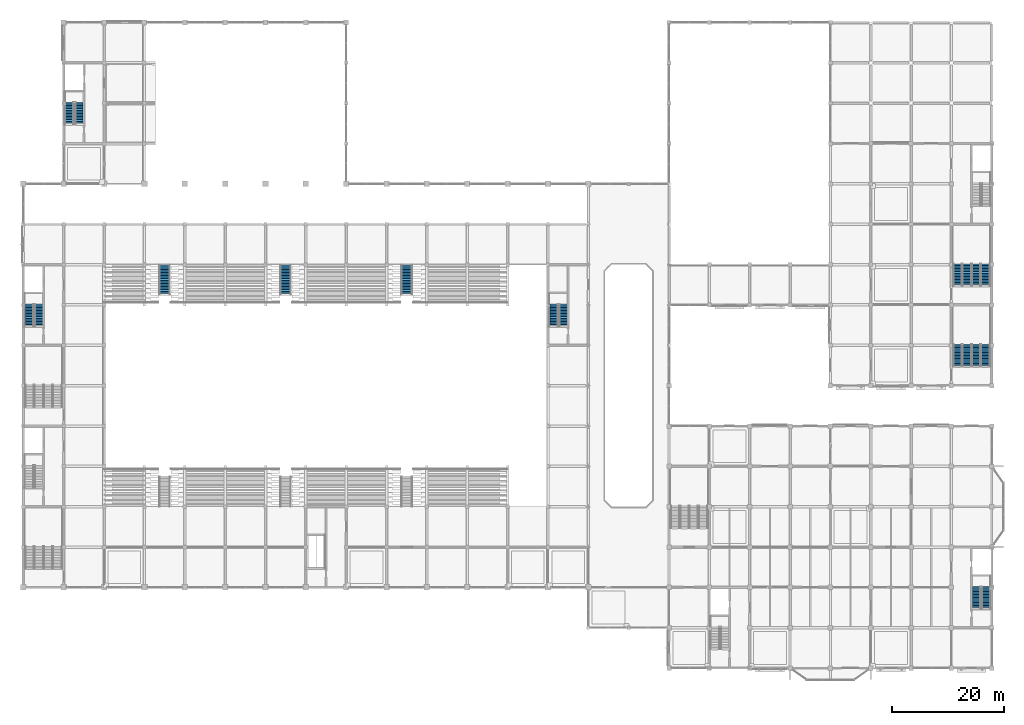
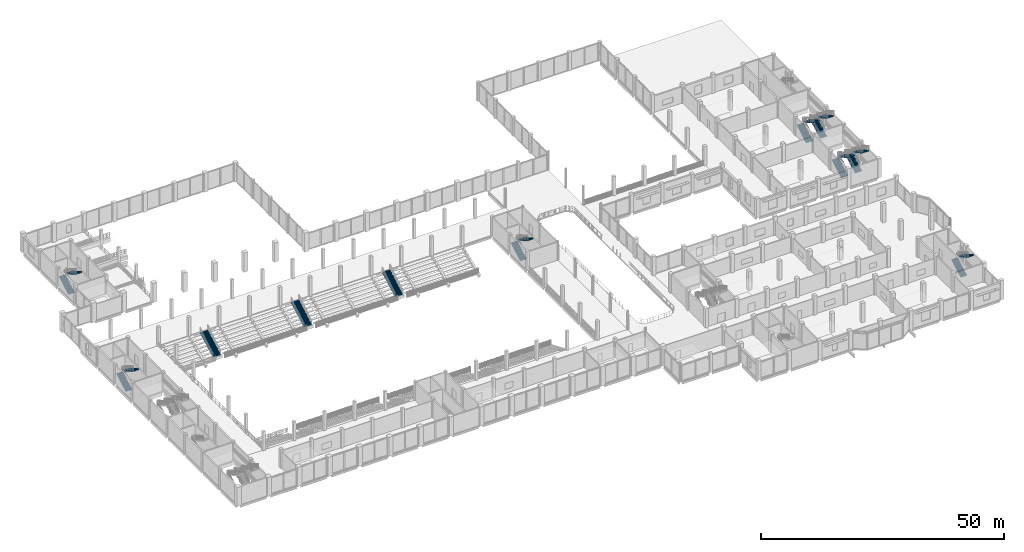
# One storey, part 73 of 99: 19 stair flights, 11 elements without a shape of their own.
"""IFC4 building model written with IfcOpenShell, lengths in metres."""

import ifcopenshell
import ifcopenshell.guid

model = None  # the IFC model being written
_history = None  # IfcOwnerHistory: only IFC2X3 demands one
_inside = {}  # id of a spatial element -> (the spatial element, [elements in it])
_under = {}  # id of a project, library or spatial element -> (it, [spatial elements below it])
_declared = {}  # id of a project -> (the project, [libraries it declares])
_typed = {}  # id of a type object -> (the type object, [elements of that type])
_made_of = {}  # id of a material, layer set ... -> (it, [elements and type objects made of it])


def new_model(schema):
    """Start an empty IFC model of exactly this schema.

    Asked for "IFC4X3", IfcOpenShell would pick the latest addendum, in which some entities
    have other attributes; the version numbers below select the first issue.
    IFC2X3 requires an IfcOwnerHistory on every rooted entity: one is made here for all.
    """
    global model, _history
    if schema == "IFC4X3":
        model = ifcopenshell.file(schema_version=(4, 3, 0, 0))
    else:
        model = ifcopenshell.file(schema=schema)
    _inside.clear()
    _under.clear()
    _declared.clear()
    _typed.clear()
    _made_of.clear()
    _history = None
    if model.schema == "IFC2X3":
        org = make("IfcOrganization", Name="unknown")
        user = make(
            "IfcPersonAndOrganization",
            ThePerson=make("IfcPerson", FamilyName="unknown"),
            TheOrganization=org,
        )
        app = make(
            "IfcApplication",
            ApplicationDeveloper=org,
            Version="unknown",
            ApplicationFullName="unknown",
            ApplicationIdentifier="unknown",
        )
        _history = make(
            "IfcOwnerHistory",
            OwningUser=user,
            OwningApplication=app,
            ChangeAction="ADDED",
            CreationDate=0,
        )
    return model


def make(cls, **values):
    """One entity of the class cls with the attributes given. An attribute that is None is left unset."""
    return model.create_entity(
        cls, **{name: value for name, value in values.items() if value is not None}
    )


def rooted(cls, **values):
    """An entity with a GlobalId (a new one), such as an element, a storey or a relation."""
    return make(cls, GlobalId=ifcopenshell.guid.new(), OwnerHistory=_history, **values)


def si_unit(unit_type, name, prefix=None):
    """IfcSIUnit, for example si_unit("LENGTHUNIT", "METRE", prefix="MILLI")."""
    return make("IfcSIUnit", UnitType=unit_type, Prefix=prefix, Name=name)


def assignment(units):
    """IfcUnitAssignment: the units of a project."""
    return None if units is None else make("IfcUnitAssignment", Units=units)


def point(xyz):
    """IfcCartesianPoint."""
    return None if xyz is None else make("IfcCartesianPoint", Coordinates=xyz)


def direction(xyz):
    """IfcDirection."""
    return None if xyz is None else make("IfcDirection", DirectionRatios=xyz)


def frame(location, z_axis=None, x_axis=None):
    """IfcAxis2Placement3D, a coordinate frame: its origin and axes. An axis left out is left unset."""
    return make(
        "IfcAxis2Placement3D",
        Location=point(location),
        Axis=direction(z_axis),
        RefDirection=direction(x_axis),
    )


def origin():
    """The frame at (0, 0, 0) with its axes left unset."""
    return frame((0.0, 0.0, 0.0))


def place(relative_to, where):
    """IfcLocalPlacement: puts the frame where relative to a parent placement (None: the world)."""
    return make(
        "IfcLocalPlacement", PlacementRelTo=relative_to, RelativePlacement=where
    )


def context(
    kind, dimensions, precision=None, world=None, true_north=None, identifier=None
):
    """IfcGeometricRepresentationContext, for example the 3D "Model" context."""
    return make(
        "IfcGeometricRepresentationContext",
        ContextIdentifier=identifier,
        ContextType=kind,
        CoordinateSpaceDimension=dimensions,
        Precision=precision,
        WorldCoordinateSystem=world,
        TrueNorth=true_north,
    )


def subcontext(parent, identifier, kind, view, scale=None):
    """IfcGeometricRepresentationSubContext, for example "Body" below "Model"."""
    return make(
        "IfcGeometricRepresentationSubContext",
        ContextIdentifier=identifier,
        ContextType=kind,
        ParentContext=parent,
        TargetScale=scale,
        TargetView=view,
    )


def project(units=None, contexts=None):
    """IfcProject with its units and contexts."""
    return rooted(
        "IfcProject",
        Name="project",
        RepresentationContexts=contexts,
        UnitsInContext=assignment(units),
    )


def spatial(cls, under=None, at=None, **own):
    """A site, building, storey or space (cls), placed at a placement, below another one or the project."""
    s = rooted(cls, ObjectPlacement=at, **own)
    if under is not None:
        _under.setdefault(under.id(), (under, []))[1].append(s)
    return s


def polyline(points):
    """IfcPolyline through the points."""
    return make("IfcPolyline", Points=[point(p) for p in points])


def outline(outer, holes=None, kind="AREA"):
    """IfcArbitraryClosedProfileDef: a profile drawn as a closed curve; with holes, ...WithVoids."""
    if holes is None:
        return make("IfcArbitraryClosedProfileDef", ProfileType=kind, OuterCurve=outer)
    return make(
        "IfcArbitraryProfileDefWithVoids",
        ProfileType=kind,
        OuterCurve=outer,
        InnerCurves=holes,
    )


def extrude(swept, where, along, depth):
    """IfcExtrudedAreaSolid: the profile swept, set in the frame where, extruded along a direction by depth."""
    return make(
        "IfcExtrudedAreaSolid",
        SweptArea=swept,
        Position=where,
        ExtrudedDirection=direction(along),
        Depth=depth,
    )


def shape(context_of_items, identifier, shape_type, items):
    """IfcShapeRepresentation: the items that make up one representation, for example the "Body"."""
    return make(
        "IfcShapeRepresentation",
        ContextOfItems=context_of_items,
        RepresentationIdentifier=identifier,
        RepresentationType=shape_type,
        Items=items,
    )


def material(Name=None, Category=None):
    """IfcMaterial."""
    return make("IfcMaterial", Name=Name, Category=Category)


def made_of(thing, what):
    """Note that an element or type object is made of a material, layer set ...; save() writes the relation."""
    if what is not None:
        _made_of.setdefault(what.id(), (what, []))[1].append(thing)
    return thing


def type_object(cls, material=None, **own):
    """A type object (cls), such as IfcWallType, which elements share."""
    return made_of(rooted(cls, **own), material)


def element(
    cls,
    number,
    at=None,
    inside=None,
    cuts=None,
    type_object=None,
    material=None,
    context=None,
    identifier="Body",
    shape_type=None,
    held_by="IfcProductDefinitionShape",
    body=None,
    shapes=None,
    **own,
):
    """One element of the class cls, such as IfcWall. Its Tag is "e" and its number.

    at: its placement. inside: the storey or other place that contains it. cuts: it is an
    opening in that element (IfcRelVoidsElement). A single representation is given by context,
    identifier, shape_type and body (its items); several are given by shapes. held_by: the class
    of the entity that holds the representations. save() writes the other relations.
    """
    e = rooted(cls, Tag="e%d" % number, ObjectPlacement=at, **own)
    if body is not None:
        shapes = [shape(context, identifier, shape_type, body)]
    if shapes is not None:
        e.Representation = make(held_by, Representations=shapes)
    if inside is not None:
        _inside.setdefault(inside.id(), (inside, []))[1].append(e)
    if cuts is not None:
        rooted(
            "IfcRelVoidsElement", RelatingBuildingElement=cuts, RelatedOpeningElement=e
        )
    if type_object is not None:
        _typed.setdefault(type_object.id(), (type_object, []))[1].append(e)
    return made_of(e, material)


def aggregate(whole, parts):
    """IfcRelAggregates: a whole, such as a stair, and the parts it consists of."""
    return rooted("IfcRelAggregates", RelatingObject=whole, RelatedObjects=parts)


def save(model, path):
    """Write the relations noted so far, then the file.

    IfcRelAggregates (storeys below a building ...), IfcRelContainedInSpatialStructure (elements
    in a storey), IfcRelDefinesByType, IfcRelAssociatesMaterial and IfcRelDeclares: one each for
    every whole, place, type object, material and project.
    """
    for whole, parts in _under.values():
        aggregate(whole, parts)
    for where, things in _inside.values():
        rooted(
            "IfcRelContainedInSpatialStructure",
            RelatedElements=things,
            RelatingStructure=where,
        )
    for kind, things in _typed.values():
        rooted("IfcRelDefinesByType", RelatedObjects=things, RelatingType=kind)
    for what, things in _made_of.values():
        rooted("IfcRelAssociatesMaterial", RelatedObjects=things, RelatingMaterial=what)
    for by, libraries in _declared.values():
        rooted("IfcRelDeclares", RelatingContext=by, RelatedDefinitions=libraries)
    model.write(path)


model = new_model("IFC4")

# Units and contexts
model_context = context("Model", 3, precision=1e-05, world=origin(), true_north=direction((0.0, 1.0)))
body_context = subcontext(model_context, "Body", "Model", "MODEL_VIEW")
ifc_project = project(units=[si_unit("LENGTHUNIT", "METRE"), si_unit("AREAUNIT", "SQUARE_METRE"), si_unit("VOLUMEUNIT", "CUBIC_METRE"), si_unit("PLANEANGLEUNIT", "RADIAN"), si_unit("MASSUNIT", "GRAM", prefix="KILO")], contexts=[model_context])

# Site, building, storey
site_placement = place(None, origin())
site = spatial("IfcSite", under=ifc_project, at=site_placement, CompositionType="ELEMENT")
building_placement = place(site_placement, origin())
building = spatial("IfcBuilding", under=site, at=building_placement, Name="Vesperath Aquatics Centre", CompositionType="ELEMENT")
storey_placement = place(building_placement, frame((0.0, 0.0, 5.39990234375)))
storey = spatial("IfcBuildingStorey", under=building, at=storey_placement, Name="L01", CompositionType="ELEMENT", Elevation=5.39990234375)

# Stair, stair flights
ifc_material = material(Name="Concrete C35", Category="concrete")
stair_type_1 = type_object("IfcStairType", Name="ST-HT48", PredefinedType="HALF_TURN_STAIR", material=ifc_material)
stair_1_placement = place(storey_placement, origin())
stair_1 = element("IfcStair", 1, at=stair_1_placement, inside=storey, type_object=stair_type_1, Name="Enclosed Exit Stair ST2 L01", PredefinedType="HALF_TURN_STAIR")
stair_flight_type_1 = type_object("IfcStairFlightType", Name="SF-F48", PredefinedType="STRAIGHT", material=ifc_material)
stair_flight_1_placement = place(storey_placement, frame((1.070068359375, 61.02001953125, 0.0), z_axis=(0.0, 0.0, 1.0), x_axis=(0.0, 1.0, 0.0)))
stair_flight_1 = element("IfcStairFlight", 2, at=stair_flight_1_placement, type_object=stair_flight_type_1, Name="Stair ST2 Flight 1 L01", NumberOfRisers=15, NumberOfTreads=14, PredefinedType="STRAIGHT", RiserHeight=0.16, TreadLength=0.28, context=body_context, shape_type="SweptSolid", body=[
    extrude(outline(polyline([(0.0, 0.0), (0.0, 0.159912109375), (0.280029296875, 0.159912109375), (0.280029296875, 0.320068359375), (0.56005859375, 0.320068359375), (0.56005859375, 0.47998046875), (0.840087890625, 0.47998046875), (0.840087890625, 0.639892578125), (1.1201171875, 0.639892578125), (1.1201171875, 0.800048828125), (1.39990234375, 0.800048828125), (1.39990234375, 0.9599609375), (1.679931640625, 0.9599609375), (1.679931640625, 1.1201171875), (1.9599609375, 1.1201171875), (1.9599609375, 1.280029296875), (2.239990234375, 1.280029296875), (2.239990234375, 1.43994140625), (2.52001953125, 1.43994140625), (2.52001953125, 1.60009765625), (2.800048828125, 1.60009765625), (2.800048828125, 1.760009765625), (3.080078125, 1.760009765625), (3.080078125, 1.919921875), (3.360107421875, 1.919921875), (3.360107421875, 2.080078125), (3.639892578125, 2.080078125), (3.639892578125, 2.239990234375), (3.919921875, 2.239990234375), (3.919921875, 2.39990234375), (3.919921875, 2.03271484375), (0.362548828125, 0.0), (0.0, 0.0)])), frame((0.0, 0.719970703125, 0.0), z_axis=(0.0, -1.0, 0.0), x_axis=(1.0, 0.0, 0.0)), (0.0, 0.0, 1.0), 1.43994140625),
])
stair_flight_2_placement = place(storey_placement, frame((2.75, 64.93994140625, 2.400146484375), z_axis=(0.0, 0.0, 1.0), x_axis=(0.0, -1.0, 0.0)))
stair_flight_2 = element("IfcStairFlight", 3, at=stair_flight_2_placement, type_object=stair_flight_type_1, Name="Stair ST2 Flight 2 L01", NumberOfRisers=15, NumberOfTreads=14, PredefinedType="STRAIGHT", RiserHeight=0.16, TreadLength=0.28, context=body_context, shape_type="SweptSolid", body=[
    extrude(outline(polyline([(0.0, 0.0), (0.0, 0.159912109375), (0.280029296875, 0.159912109375), (0.280029296875, 0.320068359375), (0.56005859375, 0.320068359375), (0.56005859375, 0.47998046875), (0.840087890625, 0.47998046875), (0.840087890625, 0.639892578125), (1.1201171875, 0.639892578125), (1.1201171875, 0.800048828125), (1.39990234375, 0.800048828125), (1.39990234375, 0.9599609375), (1.679931640625, 0.9599609375), (1.679931640625, 1.1201171875), (1.9599609375, 1.1201171875), (1.9599609375, 1.280029296875), (2.239990234375, 1.280029296875), (2.239990234375, 1.43994140625), (2.52001953125, 1.43994140625), (2.52001953125, 1.60009765625), (2.800048828125, 1.60009765625), (2.800048828125, 1.760009765625), (3.080078125, 1.760009765625), (3.080078125, 1.919921875), (3.360107421875, 1.919921875), (3.360107421875, 2.080078125), (3.639892578125, 2.080078125), (3.639892578125, 2.239990234375), (3.919921875, 2.239990234375), (3.919921875, 2.39990234375), (3.919921875, 2.03271484375), (0.362548828125, 0.0), (0.0, 0.0)])), frame((0.0, 0.719970703125, 0.0), z_axis=(0.0, -1.0, 0.0), x_axis=(1.0, 0.0, 0.0)), (0.0, 0.0, 1.0), 1.43994140625),
])
aggregate(stair_1, [stair_flight_1, stair_flight_2])

stair_2_placement = place(storey_placement, origin())
stair_2 = element("IfcStair", 4, at=stair_2_placement, inside=storey, type_object=stair_type_1, Name="Enclosed Exit Stair ST8 L01", PredefinedType="HALF_TURN_STAIR")
stair_flight_3_placement = place(storey_placement, frame((94.669921875, 61.02001953125, 0.0), z_axis=(0.0, 0.0, 1.0), x_axis=(0.0, 1.0, 0.0)))
stair_flight_3 = element("IfcStairFlight", 5, at=stair_flight_3_placement, type_object=stair_flight_type_1, Name="Stair ST8 Flight 1 L01", NumberOfRisers=15, NumberOfTreads=14, PredefinedType="STRAIGHT", RiserHeight=0.16, TreadLength=0.28, context=body_context, shape_type="SweptSolid", body=[
    extrude(outline(polyline([(0.0, 0.0), (0.0, 0.159912109375), (0.280029296875, 0.159912109375), (0.280029296875, 0.320068359375), (0.56005859375, 0.320068359375), (0.56005859375, 0.47998046875), (0.840087890625, 0.47998046875), (0.840087890625, 0.639892578125), (1.1201171875, 0.639892578125), (1.1201171875, 0.800048828125), (1.39990234375, 0.800048828125), (1.39990234375, 0.9599609375), (1.679931640625, 0.9599609375), (1.679931640625, 1.1201171875), (1.9599609375, 1.1201171875), (1.9599609375, 1.280029296875), (2.239990234375, 1.280029296875), (2.239990234375, 1.43994140625), (2.52001953125, 1.43994140625), (2.52001953125, 1.60009765625), (2.800048828125, 1.60009765625), (2.800048828125, 1.760009765625), (3.080078125, 1.760009765625), (3.080078125, 1.919921875), (3.360107421875, 1.919921875), (3.360107421875, 2.080078125), (3.639892578125, 2.080078125), (3.639892578125, 2.239990234375), (3.919921875, 2.239990234375), (3.919921875, 2.39990234375), (3.919921875, 2.03271484375), (0.362548828125, 0.0), (0.0, 0.0)])), frame((0.0, 0.719970703125, 0.0), z_axis=(0.0, -1.0, 0.0), x_axis=(1.0, 0.0, 0.0)), (0.0, 0.0, 1.0), 1.43994140625),
])
stair_flight_4_placement = place(storey_placement, frame((96.35009765625, 64.93994140625, 2.400146484375), z_axis=(0.0, 0.0, 1.0), x_axis=(0.0, -1.0, 0.0)))
stair_flight_4 = element("IfcStairFlight", 6, at=stair_flight_4_placement, type_object=stair_flight_type_1, Name="Stair ST8 Flight 2 L01", NumberOfRisers=15, NumberOfTreads=14, PredefinedType="STRAIGHT", RiserHeight=0.16, TreadLength=0.28, context=body_context, shape_type="SweptSolid", body=[
    extrude(outline(polyline([(0.0, 0.0), (0.0, 0.159912109375), (0.280029296875, 0.159912109375), (0.280029296875, 0.320068359375), (0.56005859375, 0.320068359375), (0.56005859375, 0.47998046875), (0.840087890625, 0.47998046875), (0.840087890625, 0.639892578125), (1.1201171875, 0.639892578125), (1.1201171875, 0.800048828125), (1.39990234375, 0.800048828125), (1.39990234375, 0.9599609375), (1.679931640625, 0.9599609375), (1.679931640625, 1.1201171875), (1.9599609375, 1.1201171875), (1.9599609375, 1.280029296875), (2.239990234375, 1.280029296875), (2.239990234375, 1.43994140625), (2.52001953125, 1.43994140625), (2.52001953125, 1.60009765625), (2.800048828125, 1.60009765625), (2.800048828125, 1.760009765625), (3.080078125, 1.760009765625), (3.080078125, 1.919921875), (3.360107421875, 1.919921875), (3.360107421875, 2.080078125), (3.639892578125, 2.080078125), (3.639892578125, 2.239990234375), (3.919921875, 2.239990234375), (3.919921875, 2.39990234375), (3.919921875, 2.03271484375), (0.362548828125, 0.0), (0.0, 0.0)])), frame((0.0, 0.719970703125, 0.0), z_axis=(0.0, -1.0, 0.0), x_axis=(1.0, 0.0, 0.0)), (0.0, 0.0, 1.0), 1.43994140625),
])
aggregate(stair_2, [stair_flight_3, stair_flight_4])

stair_3_placement = place(storey_placement, origin())
stair_3 = element("IfcStair", 7, at=stair_3_placement, inside=storey, type_object=stair_type_1, Name="Enclosed Exit Stair ST3 L01", PredefinedType="HALF_TURN_STAIR")
stair_flight_5_placement = place(storey_placement, frame((8.27001953125, 97.02001953125, 0.0), z_axis=(0.0, 0.0, 1.0), x_axis=(0.0, 1.0, 0.0)))
stair_flight_5 = element("IfcStairFlight", 8, at=stair_flight_5_placement, type_object=stair_flight_type_1, Name="Stair ST3 Flight 1 L01", NumberOfRisers=15, NumberOfTreads=14, PredefinedType="STRAIGHT", RiserHeight=0.16, TreadLength=0.28, context=body_context, shape_type="SweptSolid", body=[
    extrude(outline(polyline([(0.0, 0.0), (0.0, 0.159912109375), (0.280029296875, 0.159912109375), (0.280029296875, 0.320068359375), (0.56005859375, 0.320068359375), (0.56005859375, 0.47998046875), (0.840087890625, 0.47998046875), (0.840087890625, 0.639892578125), (1.1201171875, 0.639892578125), (1.1201171875, 0.800048828125), (1.39990234375, 0.800048828125), (1.39990234375, 0.9599609375), (1.679931640625, 0.9599609375), (1.679931640625, 1.1201171875), (1.9599609375, 1.1201171875), (1.9599609375, 1.280029296875), (2.239990234375, 1.280029296875), (2.239990234375, 1.43994140625), (2.52001953125, 1.43994140625), (2.52001953125, 1.60009765625), (2.800048828125, 1.60009765625), (2.800048828125, 1.760009765625), (3.080078125, 1.760009765625), (3.080078125, 1.919921875), (3.360107421875, 1.919921875), (3.360107421875, 2.080078125), (3.639892578125, 2.080078125), (3.639892578125, 2.239990234375), (3.919921875, 2.239990234375), (3.919921875, 2.39990234375), (3.919921875, 2.03271484375), (0.362548828125, 0.0), (0.0, 0.0)])), frame((0.0, 0.719970703125, 0.0), z_axis=(0.0, -1.0, 0.0), x_axis=(1.0, 0.0, 0.0)), (0.0, 0.0, 1.0), 1.43994140625),
])
stair_flight_6_placement = place(storey_placement, frame((9.949951171875, 100.93994140625, 2.400146484375), z_axis=(0.0, 0.0, 1.0), x_axis=(0.0, -1.0, 0.0)))
stair_flight_6 = element("IfcStairFlight", 9, at=stair_flight_6_placement, type_object=stair_flight_type_1, Name="Stair ST3 Flight 2 L01", NumberOfRisers=15, NumberOfTreads=14, PredefinedType="STRAIGHT", RiserHeight=0.16, TreadLength=0.28, context=body_context, shape_type="SweptSolid", body=[
    extrude(outline(polyline([(0.0, 0.0), (0.0, 0.159912109375), (0.280029296875, 0.159912109375), (0.280029296875, 0.320068359375), (0.56005859375, 0.320068359375), (0.56005859375, 0.47998046875), (0.840087890625, 0.47998046875), (0.840087890625, 0.639892578125), (1.1201171875, 0.639892578125), (1.1201171875, 0.800048828125), (1.39990234375, 0.800048828125), (1.39990234375, 0.9599609375), (1.679931640625, 0.9599609375), (1.679931640625, 1.1201171875), (1.9599609375, 1.1201171875), (1.9599609375, 1.280029296875), (2.239990234375, 1.280029296875), (2.239990234375, 1.43994140625), (2.52001953125, 1.43994140625), (2.52001953125, 1.60009765625), (2.800048828125, 1.60009765625), (2.800048828125, 1.760009765625), (3.080078125, 1.760009765625), (3.080078125, 1.919921875), (3.360107421875, 1.919921875), (3.360107421875, 2.080078125), (3.639892578125, 2.080078125), (3.639892578125, 2.239990234375), (3.919921875, 2.239990234375), (3.919921875, 2.39990234375), (3.919921875, 2.03271484375), (0.362548828125, 0.0), (0.0, 0.0)])), frame((0.0, 0.719970703125, 0.0), z_axis=(0.0, -1.0, 0.0), x_axis=(1.0, 0.0, 0.0)), (0.0, 0.0, 1.0), 1.43994140625),
])
aggregate(stair_3, [stair_flight_5, stair_flight_6])

stair_4_placement = place(storey_placement, origin())
stair_4 = element("IfcStair", 10, at=stair_4_placement, inside=storey, type_object=stair_type_1, Name="Enclosed Exit Stair ST6 L01", PredefinedType="HALF_TURN_STAIR")
stair_flight_7_placement = place(storey_placement, frame((170.070068359375, 10.6201171875, 0.0), z_axis=(0.0, 0.0, 1.0), x_axis=(0.0, 1.0, 0.0)))
stair_flight_7 = element("IfcStairFlight", 11, at=stair_flight_7_placement, type_object=stair_flight_type_1, Name="Stair ST6 Flight 1 L01", NumberOfRisers=15, NumberOfTreads=14, PredefinedType="STRAIGHT", RiserHeight=0.16, TreadLength=0.28, context=body_context, shape_type="SweptSolid", body=[
    extrude(outline(polyline([(0.0, 0.0), (0.0, 0.159912109375), (0.280029296875, 0.159912109375), (0.280029296875, 0.320068359375), (0.56005859375, 0.320068359375), (0.56005859375, 0.47998046875), (0.840087890625, 0.47998046875), (0.840087890625, 0.639892578125), (1.1201171875, 0.639892578125), (1.1201171875, 0.800048828125), (1.39990234375, 0.800048828125), (1.39990234375, 0.9599609375), (1.679931640625, 0.9599609375), (1.679931640625, 1.1201171875), (1.9599609375, 1.1201171875), (1.9599609375, 1.280029296875), (2.239990234375, 1.280029296875), (2.239990234375, 1.43994140625), (2.52001953125, 1.43994140625), (2.52001953125, 1.60009765625), (2.800048828125, 1.60009765625), (2.800048828125, 1.760009765625), (3.080078125, 1.760009765625), (3.080078125, 1.919921875), (3.360107421875, 1.919921875), (3.360107421875, 2.080078125), (3.639892578125, 2.080078125), (3.639892578125, 2.239990234375), (3.919921875, 2.239990234375), (3.919921875, 2.39990234375), (3.919921875, 2.03271484375), (0.362548828125, 0.0), (0.0, 0.0)])), frame((0.0, 0.719970703125, 0.0), z_axis=(0.0, -1.0, 0.0), x_axis=(1.0, 0.0, 0.0)), (0.0, 0.0, 1.0), 1.43994140625),
])
stair_flight_8_placement = place(storey_placement, frame((171.75, 14.5400390625, 2.400146484375), z_axis=(0.0, 0.0, 1.0), x_axis=(0.0, -1.0, 0.0)))
stair_flight_8 = element("IfcStairFlight", 12, at=stair_flight_8_placement, type_object=stair_flight_type_1, Name="Stair ST6 Flight 2 L01", NumberOfRisers=15, NumberOfTreads=14, PredefinedType="STRAIGHT", RiserHeight=0.16, TreadLength=0.28, context=body_context, shape_type="SweptSolid", body=[
    extrude(outline(polyline([(0.0, 0.0), (0.0, 0.159912109375), (0.280029296875, 0.159912109375), (0.280029296875, 0.320068359375), (0.56005859375, 0.320068359375), (0.56005859375, 0.47998046875), (0.840087890625, 0.47998046875), (0.840087890625, 0.639892578125), (1.1201171875, 0.639892578125), (1.1201171875, 0.800048828125), (1.39990234375, 0.800048828125), (1.39990234375, 0.9599609375), (1.679931640625, 0.9599609375), (1.679931640625, 1.1201171875), (1.9599609375, 1.1201171875), (1.9599609375, 1.280029296875), (2.239990234375, 1.280029296875), (2.239990234375, 1.43994140625), (2.52001953125, 1.43994140625), (2.52001953125, 1.60009765625), (2.800048828125, 1.60009765625), (2.800048828125, 1.760009765625), (3.080078125, 1.760009765625), (3.080078125, 1.919921875), (3.360107421875, 1.919921875), (3.360107421875, 2.080078125), (3.639892578125, 2.080078125), (3.639892578125, 2.239990234375), (3.919921875, 2.239990234375), (3.919921875, 2.39990234375), (3.919921875, 2.03271484375), (0.362548828125, 0.0), (0.0, 0.0)])), frame((0.0, 0.719970703125, 0.0), z_axis=(0.0, -1.0, 0.0), x_axis=(1.0, 0.0, 0.0)), (0.0, 0.0, 1.0), 1.43994140625),
])
aggregate(stair_4, [stair_flight_7, stair_flight_8])

# Stair, stair flight
stair_type_2 = type_object("IfcStairType", Name="ST-VM32", PredefinedType="STRAIGHT_RUN_STAIR", material=ifc_material)
stair_5_placement = place(storey_placement, origin())
stair_5 = element("IfcStair", 13, at=stair_5_placement, inside=storey, type_object=stair_type_2, Name="Spectator Vomitory Stair VOM-04", PredefinedType="STRAIGHT_RUN_STAIR")
stair_flight_type_2 = type_object("IfcStairFlightType", Name="SF-VM1", PredefinedType="STRAIGHT", material=ifc_material)
stair_flight_9_placement = place(storey_placement, frame((25.199951171875, 66.679931640625, -3.199951171875), z_axis=(0.0, 0.0, 1.0), x_axis=(0.0, 1.0, 0.0)))
stair_flight_9 = element("IfcStairFlight", 14, at=stair_flight_9_placement, type_object=stair_flight_type_2, Name="Spectator Vomitory Stair VOM-04 Flight", NumberOfRisers=20, NumberOfTreads=19, PredefinedType="STRAIGHT", RiserHeight=0.16, TreadLength=0.28, context=body_context, shape_type="SweptSolid", body=[
    extrude(outline(polyline([(0.0, 0.0), (0.0, 0.159912109375), (0.280029296875, 0.159912109375), (0.280029296875, 0.320068359375), (0.56005859375, 0.320068359375), (0.56005859375, 0.47998046875), (0.840087890625, 0.47998046875), (0.840087890625, 0.639892578125), (1.1201171875, 0.639892578125), (1.1201171875, 0.800048828125), (1.39990234375, 0.800048828125), (1.39990234375, 0.9599609375), (1.679931640625, 0.9599609375), (1.679931640625, 1.1201171875), (1.9599609375, 1.1201171875), (1.9599609375, 1.280029296875), (2.239990234375, 1.280029296875), (2.239990234375, 1.43994140625), (2.52001953125, 1.43994140625), (2.52001953125, 1.60009765625), (2.800048828125, 1.60009765625), (2.800048828125, 1.760009765625), (3.080078125, 1.760009765625), (3.080078125, 1.919921875), (3.360107421875, 1.919921875), (3.360107421875, 2.080078125), (3.639892578125, 2.080078125), (3.639892578125, 2.239990234375), (3.919921875, 2.239990234375), (3.919921875, 2.39990234375), (4.199951171875, 2.39990234375), (4.199951171875, 2.56005859375), (4.47998046875, 2.56005859375), (4.47998046875, 2.719970703125), (4.760009765625, 2.719970703125), (4.760009765625, 2.8798828125), (5.0400390625, 2.8798828125), (5.0400390625, 3.0400390625), (5.320068359375, 3.0400390625), (5.320068359375, 3.199951171875), (5.320068359375, 2.809814453125), (0.403076171875, 0.0), (0.0, 0.0)])), frame((0.0, 0.89990234375, 0.0), z_axis=(0.0, -1.0, 0.0), x_axis=(1.0, 0.0, 0.0)), (0.0, 0.0, 1.0), 1.800048828125),
])
aggregate(stair_5, [stair_flight_9])

stair_6_placement = place(storey_placement, origin())
stair_6 = element("IfcStair", 15, at=stair_6_placement, inside=storey, type_object=stair_type_2, Name="Spectator Vomitory Stair VOM-05", PredefinedType="STRAIGHT_RUN_STAIR")
stair_flight_10_placement = place(storey_placement, frame((46.800048828125, 66.679931640625, -3.199951171875), z_axis=(0.0, 0.0, 1.0), x_axis=(0.0, 1.0, 0.0)))
stair_flight_10 = element("IfcStairFlight", 16, at=stair_flight_10_placement, type_object=stair_flight_type_2, Name="Spectator Vomitory Stair VOM-05 Flight", NumberOfRisers=20, NumberOfTreads=19, PredefinedType="STRAIGHT", RiserHeight=0.16, TreadLength=0.28, context=body_context, shape_type="SweptSolid", body=[
    extrude(outline(polyline([(0.0, 0.0), (0.0, 0.159912109375), (0.280029296875, 0.159912109375), (0.280029296875, 0.320068359375), (0.56005859375, 0.320068359375), (0.56005859375, 0.47998046875), (0.840087890625, 0.47998046875), (0.840087890625, 0.639892578125), (1.1201171875, 0.639892578125), (1.1201171875, 0.800048828125), (1.39990234375, 0.800048828125), (1.39990234375, 0.9599609375), (1.679931640625, 0.9599609375), (1.679931640625, 1.1201171875), (1.9599609375, 1.1201171875), (1.9599609375, 1.280029296875), (2.239990234375, 1.280029296875), (2.239990234375, 1.43994140625), (2.52001953125, 1.43994140625), (2.52001953125, 1.60009765625), (2.800048828125, 1.60009765625), (2.800048828125, 1.760009765625), (3.080078125, 1.760009765625), (3.080078125, 1.919921875), (3.360107421875, 1.919921875), (3.360107421875, 2.080078125), (3.639892578125, 2.080078125), (3.639892578125, 2.239990234375), (3.919921875, 2.239990234375), (3.919921875, 2.39990234375), (4.199951171875, 2.39990234375), (4.199951171875, 2.56005859375), (4.47998046875, 2.56005859375), (4.47998046875, 2.719970703125), (4.760009765625, 2.719970703125), (4.760009765625, 2.8798828125), (5.0400390625, 2.8798828125), (5.0400390625, 3.0400390625), (5.320068359375, 3.0400390625), (5.320068359375, 3.199951171875), (5.320068359375, 2.809814453125), (0.403076171875, 0.0), (0.0, 0.0)])), frame((0.0, 0.89990234375, 0.0), z_axis=(0.0, -1.0, 0.0), x_axis=(1.0, 0.0, 0.0)), (0.0, 0.0, 1.0), 1.800048828125),
])
aggregate(stair_6, [stair_flight_10])

stair_7_placement = place(storey_placement, origin())
stair_7 = element("IfcStair", 17, at=stair_7_placement, inside=storey, type_object=stair_type_2, Name="Spectator Vomitory Stair VOM-06", PredefinedType="STRAIGHT_RUN_STAIR")
stair_flight_11_placement = place(storey_placement, frame((68.39990234375, 66.679931640625, -3.199951171875), z_axis=(0.0, 0.0, 1.0), x_axis=(0.0, 1.0, 0.0)))
stair_flight_11 = element("IfcStairFlight", 18, at=stair_flight_11_placement, type_object=stair_flight_type_2, Name="Spectator Vomitory Stair VOM-06 Flight", NumberOfRisers=20, NumberOfTreads=19, PredefinedType="STRAIGHT", RiserHeight=0.16, TreadLength=0.28, context=body_context, shape_type="SweptSolid", body=[
    extrude(outline(polyline([(0.0, 0.0), (0.0, 0.159912109375), (0.280029296875, 0.159912109375), (0.280029296875, 0.320068359375), (0.56005859375, 0.320068359375), (0.56005859375, 0.47998046875), (0.840087890625, 0.47998046875), (0.840087890625, 0.639892578125), (1.1201171875, 0.639892578125), (1.1201171875, 0.800048828125), (1.39990234375, 0.800048828125), (1.39990234375, 0.9599609375), (1.679931640625, 0.9599609375), (1.679931640625, 1.1201171875), (1.9599609375, 1.1201171875), (1.9599609375, 1.280029296875), (2.239990234375, 1.280029296875), (2.239990234375, 1.43994140625), (2.52001953125, 1.43994140625), (2.52001953125, 1.60009765625), (2.800048828125, 1.60009765625), (2.800048828125, 1.760009765625), (3.080078125, 1.760009765625), (3.080078125, 1.919921875), (3.360107421875, 1.919921875), (3.360107421875, 2.080078125), (3.639892578125, 2.080078125), (3.639892578125, 2.239990234375), (3.919921875, 2.239990234375), (3.919921875, 2.39990234375), (4.199951171875, 2.39990234375), (4.199951171875, 2.56005859375), (4.47998046875, 2.56005859375), (4.47998046875, 2.719970703125), (4.760009765625, 2.719970703125), (4.760009765625, 2.8798828125), (5.0400390625, 2.8798828125), (5.0400390625, 3.0400390625), (5.320068359375, 3.0400390625), (5.320068359375, 3.199951171875), (5.320068359375, 2.809814453125), (0.403076171875, 0.0), (0.0, 0.0)])), frame((0.0, 0.89990234375, 0.0), z_axis=(0.0, -1.0, 0.0), x_axis=(1.0, 0.0, 0.0)), (0.0, 0.0, 1.0), 1.800048828125),
])
aggregate(stair_7, [stair_flight_11])

# Stair, stair flights
stair_type_3 = type_object("IfcStairType", Name="ST-HW48", PredefinedType="HALF_TURN_STAIR", material=ifc_material)
stair_8_placement = place(storey_placement, origin())
stair_8 = element("IfcStair", 19, at=stair_8_placement, inside=storey, type_object=stair_type_3, Name="Enclosed Exit Stair ST12A L01", PredefinedType="HALF_TURN_STAIR")
stair_flight_type_3 = type_object("IfcStairFlightType", Name="SF-W48", PredefinedType="STRAIGHT", material=ifc_material)
stair_flight_12_placement = place(storey_placement, frame((166.72509765625, 53.820068359375, 0.0), z_axis=(0.0, 0.0, 1.0), x_axis=(0.0, 1.0, 0.0)))
stair_flight_12 = element("IfcStairFlight", 20, at=stair_flight_12_placement, type_object=stair_flight_type_3, Name="Stair ST12A Flight 1 L01", NumberOfRisers=15, NumberOfTreads=14, PredefinedType="STRAIGHT", RiserHeight=0.16, TreadLength=0.28, context=body_context, shape_type="SweptSolid", body=[
    extrude(outline(polyline([(0.0, 0.0), (0.0, 0.159912109375), (0.280029296875, 0.159912109375), (0.280029296875, 0.320068359375), (0.56005859375, 0.320068359375), (0.56005859375, 0.47998046875), (0.840087890625, 0.47998046875), (0.840087890625, 0.639892578125), (1.1201171875, 0.639892578125), (1.1201171875, 0.800048828125), (1.39990234375, 0.800048828125), (1.39990234375, 0.9599609375), (1.679931640625, 0.9599609375), (1.679931640625, 1.1201171875), (1.9599609375, 1.1201171875), (1.9599609375, 1.280029296875), (2.239990234375, 1.280029296875), (2.239990234375, 1.43994140625), (2.52001953125, 1.43994140625), (2.52001953125, 1.60009765625), (2.800048828125, 1.60009765625), (2.800048828125, 1.760009765625), (3.080078125, 1.760009765625), (3.080078125, 1.919921875), (3.360107421875, 1.919921875), (3.360107421875, 2.080078125), (3.639892578125, 2.080078125), (3.639892578125, 2.239990234375), (3.919921875, 2.239990234375), (3.919921875, 2.39990234375), (3.919921875, 2.03271484375), (0.362548828125, 0.0), (0.0, 0.0)])), frame((0.0, 0.78515625, 0.0), z_axis=(0.0, -1.0, 0.0), x_axis=(1.0, 0.0, 0.0)), (0.0, 0.0, 1.0), 1.570068359375),
])
stair_flight_13_placement = place(storey_placement, frame((168.375, 57.739990234375, 2.400146484375), z_axis=(0.0, 0.0, 1.0), x_axis=(0.0, -1.0, 0.0)))
stair_flight_13 = element("IfcStairFlight", 21, at=stair_flight_13_placement, type_object=stair_flight_type_3, Name="Stair ST12A Flight 2 L01", NumberOfRisers=15, NumberOfTreads=14, PredefinedType="STRAIGHT", RiserHeight=0.16, TreadLength=0.28, context=body_context, shape_type="SweptSolid", body=[
    extrude(outline(polyline([(0.0, 0.0), (0.0, 0.159912109375), (0.280029296875, 0.159912109375), (0.280029296875, 0.320068359375), (0.56005859375, 0.320068359375), (0.56005859375, 0.47998046875), (0.840087890625, 0.47998046875), (0.840087890625, 0.639892578125), (1.1201171875, 0.639892578125), (1.1201171875, 0.800048828125), (1.39990234375, 0.800048828125), (1.39990234375, 0.9599609375), (1.679931640625, 0.9599609375), (1.679931640625, 1.1201171875), (1.9599609375, 1.1201171875), (1.9599609375, 1.280029296875), (2.239990234375, 1.280029296875), (2.239990234375, 1.43994140625), (2.52001953125, 1.43994140625), (2.52001953125, 1.60009765625), (2.800048828125, 1.60009765625), (2.800048828125, 1.760009765625), (3.080078125, 1.760009765625), (3.080078125, 1.919921875), (3.360107421875, 1.919921875), (3.360107421875, 2.080078125), (3.639892578125, 2.080078125), (3.639892578125, 2.239990234375), (3.919921875, 2.239990234375), (3.919921875, 2.39990234375), (3.919921875, 2.03271484375), (0.362548828125, 0.0), (0.0, 0.0)])), frame((0.0, 0.78515625, 0.0), z_axis=(0.0, -1.0, 0.0), x_axis=(1.0, 0.0, 0.0)), (0.0, 0.0, 1.0), 1.570068359375),
])
aggregate(stair_8, [stair_flight_12, stair_flight_13])

stair_9_placement = place(storey_placement, origin())
stair_9 = element("IfcStair", 22, at=stair_9_placement, inside=storey, type_object=stair_type_3, Name="Enclosed Exit Stair ST12B L01", PredefinedType="HALF_TURN_STAIR")
stair_flight_14_placement = place(storey_placement, frame((170.02490234375, 53.820068359375, 0.0), z_axis=(0.0, 0.0, 1.0), x_axis=(0.0, 1.0, 0.0)))
stair_flight_14 = element("IfcStairFlight", 23, at=stair_flight_14_placement, type_object=stair_flight_type_3, Name="Stair ST12B Flight 1 L01", NumberOfRisers=15, NumberOfTreads=14, PredefinedType="STRAIGHT", RiserHeight=0.16, TreadLength=0.28, context=body_context, shape_type="SweptSolid", body=[
    extrude(outline(polyline([(0.0, 0.0), (0.0, 0.159912109375), (0.280029296875, 0.159912109375), (0.280029296875, 0.320068359375), (0.56005859375, 0.320068359375), (0.56005859375, 0.47998046875), (0.840087890625, 0.47998046875), (0.840087890625, 0.639892578125), (1.1201171875, 0.639892578125), (1.1201171875, 0.800048828125), (1.39990234375, 0.800048828125), (1.39990234375, 0.9599609375), (1.679931640625, 0.9599609375), (1.679931640625, 1.1201171875), (1.9599609375, 1.1201171875), (1.9599609375, 1.280029296875), (2.239990234375, 1.280029296875), (2.239990234375, 1.43994140625), (2.52001953125, 1.43994140625), (2.52001953125, 1.60009765625), (2.800048828125, 1.60009765625), (2.800048828125, 1.760009765625), (3.080078125, 1.760009765625), (3.080078125, 1.919921875), (3.360107421875, 1.919921875), (3.360107421875, 2.080078125), (3.639892578125, 2.080078125), (3.639892578125, 2.239990234375), (3.919921875, 2.239990234375), (3.919921875, 2.39990234375), (3.919921875, 2.03271484375), (0.362548828125, 0.0), (0.0, 0.0)])), frame((0.0, 0.78515625, 0.0), z_axis=(0.0, -1.0, 0.0), x_axis=(1.0, 0.0, 0.0)), (0.0, 0.0, 1.0), 1.570068359375),
])
stair_flight_15_placement = place(storey_placement, frame((171.675048828125, 57.739990234375, 2.400146484375), z_axis=(0.0, 0.0, 1.0), x_axis=(0.0, -1.0, 0.0)))
stair_flight_15 = element("IfcStairFlight", 24, at=stair_flight_15_placement, type_object=stair_flight_type_3, Name="Stair ST12B Flight 2 L01", NumberOfRisers=15, NumberOfTreads=14, PredefinedType="STRAIGHT", RiserHeight=0.16, TreadLength=0.28, context=body_context, shape_type="SweptSolid", body=[
    extrude(outline(polyline([(0.0, 0.0), (0.0, 0.159912109375), (0.280029296875, 0.159912109375), (0.280029296875, 0.320068359375), (0.56005859375, 0.320068359375), (0.56005859375, 0.47998046875), (0.840087890625, 0.47998046875), (0.840087890625, 0.639892578125), (1.1201171875, 0.639892578125), (1.1201171875, 0.800048828125), (1.39990234375, 0.800048828125), (1.39990234375, 0.9599609375), (1.679931640625, 0.9599609375), (1.679931640625, 1.1201171875), (1.9599609375, 1.1201171875), (1.9599609375, 1.280029296875), (2.239990234375, 1.280029296875), (2.239990234375, 1.43994140625), (2.52001953125, 1.43994140625), (2.52001953125, 1.60009765625), (2.800048828125, 1.60009765625), (2.800048828125, 1.760009765625), (3.080078125, 1.760009765625), (3.080078125, 1.919921875), (3.360107421875, 1.919921875), (3.360107421875, 2.080078125), (3.639892578125, 2.080078125), (3.639892578125, 2.239990234375), (3.919921875, 2.239990234375), (3.919921875, 2.39990234375), (3.919921875, 2.03271484375), (0.362548828125, 0.0), (0.0, 0.0)])), frame((0.0, 0.78515625, 0.0), z_axis=(0.0, -1.0, 0.0), x_axis=(1.0, 0.0, 0.0)), (0.0, 0.0, 1.0), 1.570068359375),
])
aggregate(stair_9, [stair_flight_14, stair_flight_15])

stair_10_placement = place(storey_placement, origin())
stair_10 = element("IfcStair", 25, at=stair_10_placement, inside=storey, type_object=stair_type_3, Name="Enclosed Exit Stair ST13A L01", PredefinedType="HALF_TURN_STAIR")
stair_flight_16_placement = place(storey_placement, frame((166.72509765625, 68.219970703125, 0.0), z_axis=(0.0, 0.0, 1.0), x_axis=(0.0, 1.0, 0.0)))
stair_flight_16 = element("IfcStairFlight", 26, at=stair_flight_16_placement, type_object=stair_flight_type_3, Name="Stair ST13A Flight 1 L01", NumberOfRisers=15, NumberOfTreads=14, PredefinedType="STRAIGHT", RiserHeight=0.16, TreadLength=0.28, context=body_context, shape_type="SweptSolid", body=[
    extrude(outline(polyline([(0.0, 0.0), (0.0, 0.159912109375), (0.280029296875, 0.159912109375), (0.280029296875, 0.320068359375), (0.56005859375, 0.320068359375), (0.56005859375, 0.47998046875), (0.840087890625, 0.47998046875), (0.840087890625, 0.639892578125), (1.1201171875, 0.639892578125), (1.1201171875, 0.800048828125), (1.39990234375, 0.800048828125), (1.39990234375, 0.9599609375), (1.679931640625, 0.9599609375), (1.679931640625, 1.1201171875), (1.9599609375, 1.1201171875), (1.9599609375, 1.280029296875), (2.239990234375, 1.280029296875), (2.239990234375, 1.43994140625), (2.52001953125, 1.43994140625), (2.52001953125, 1.60009765625), (2.800048828125, 1.60009765625), (2.800048828125, 1.760009765625), (3.080078125, 1.760009765625), (3.080078125, 1.919921875), (3.360107421875, 1.919921875), (3.360107421875, 2.080078125), (3.639892578125, 2.080078125), (3.639892578125, 2.239990234375), (3.919921875, 2.239990234375), (3.919921875, 2.39990234375), (3.919921875, 2.03271484375), (0.362548828125, 0.0), (0.0, 0.0)])), frame((0.0, 0.78515625, 0.0), z_axis=(0.0, -1.0, 0.0), x_axis=(1.0, 0.0, 0.0)), (0.0, 0.0, 1.0), 1.570068359375),
])
stair_flight_17_placement = place(storey_placement, frame((168.375, 72.139892578125, 2.400146484375), z_axis=(0.0, 0.0, 1.0), x_axis=(0.0, -1.0, 0.0)))
stair_flight_17 = element("IfcStairFlight", 27, at=stair_flight_17_placement, type_object=stair_flight_type_3, Name="Stair ST13A Flight 2 L01", NumberOfRisers=15, NumberOfTreads=14, PredefinedType="STRAIGHT", RiserHeight=0.16, TreadLength=0.28, context=body_context, shape_type="SweptSolid", body=[
    extrude(outline(polyline([(0.0, 0.0), (0.0, 0.159912109375), (0.280029296875, 0.159912109375), (0.280029296875, 0.320068359375), (0.56005859375, 0.320068359375), (0.56005859375, 0.47998046875), (0.840087890625, 0.47998046875), (0.840087890625, 0.639892578125), (1.1201171875, 0.639892578125), (1.1201171875, 0.800048828125), (1.39990234375, 0.800048828125), (1.39990234375, 0.9599609375), (1.679931640625, 0.9599609375), (1.679931640625, 1.1201171875), (1.9599609375, 1.1201171875), (1.9599609375, 1.280029296875), (2.239990234375, 1.280029296875), (2.239990234375, 1.43994140625), (2.52001953125, 1.43994140625), (2.52001953125, 1.60009765625), (2.800048828125, 1.60009765625), (2.800048828125, 1.760009765625), (3.080078125, 1.760009765625), (3.080078125, 1.919921875), (3.360107421875, 1.919921875), (3.360107421875, 2.080078125), (3.639892578125, 2.080078125), (3.639892578125, 2.239990234375), (3.919921875, 2.239990234375), (3.919921875, 2.39990234375), (3.919921875, 2.03271484375), (0.362548828125, 0.0), (0.0, 0.0)])), frame((0.0, 0.78515625, 0.0), z_axis=(0.0, -1.0, 0.0), x_axis=(1.0, 0.0, 0.0)), (0.0, 0.0, 1.0), 1.570068359375),
])
aggregate(stair_10, [stair_flight_16, stair_flight_17])

stair_11_placement = place(storey_placement, origin())
stair_11 = element("IfcStair", 28, at=stair_11_placement, inside=storey, type_object=stair_type_3, Name="Enclosed Exit Stair ST13B L01", PredefinedType="HALF_TURN_STAIR")
stair_flight_18_placement = place(storey_placement, frame((170.02490234375, 68.219970703125, 0.0), z_axis=(0.0, 0.0, 1.0), x_axis=(0.0, 1.0, 0.0)))
stair_flight_18 = element("IfcStairFlight", 29, at=stair_flight_18_placement, type_object=stair_flight_type_3, Name="Stair ST13B Flight 1 L01", NumberOfRisers=15, NumberOfTreads=14, PredefinedType="STRAIGHT", RiserHeight=0.16, TreadLength=0.28, context=body_context, shape_type="SweptSolid", body=[
    extrude(outline(polyline([(0.0, 0.0), (0.0, 0.159912109375), (0.280029296875, 0.159912109375), (0.280029296875, 0.320068359375), (0.56005859375, 0.320068359375), (0.56005859375, 0.47998046875), (0.840087890625, 0.47998046875), (0.840087890625, 0.639892578125), (1.1201171875, 0.639892578125), (1.1201171875, 0.800048828125), (1.39990234375, 0.800048828125), (1.39990234375, 0.9599609375), (1.679931640625, 0.9599609375), (1.679931640625, 1.1201171875), (1.9599609375, 1.1201171875), (1.9599609375, 1.280029296875), (2.239990234375, 1.280029296875), (2.239990234375, 1.43994140625), (2.52001953125, 1.43994140625), (2.52001953125, 1.60009765625), (2.800048828125, 1.60009765625), (2.800048828125, 1.760009765625), (3.080078125, 1.760009765625), (3.080078125, 1.919921875), (3.360107421875, 1.919921875), (3.360107421875, 2.080078125), (3.639892578125, 2.080078125), (3.639892578125, 2.239990234375), (3.919921875, 2.239990234375), (3.919921875, 2.39990234375), (3.919921875, 2.03271484375), (0.362548828125, 0.0), (0.0, 0.0)])), frame((0.0, 0.78515625, 0.0), z_axis=(0.0, -1.0, 0.0), x_axis=(1.0, 0.0, 0.0)), (0.0, 0.0, 1.0), 1.570068359375),
])
stair_flight_19_placement = place(storey_placement, frame((171.675048828125, 72.139892578125, 2.400146484375), z_axis=(0.0, 0.0, 1.0), x_axis=(0.0, -1.0, 0.0)))
stair_flight_19 = element("IfcStairFlight", 30, at=stair_flight_19_placement, type_object=stair_flight_type_3, Name="Stair ST13B Flight 2 L01", NumberOfRisers=15, NumberOfTreads=14, PredefinedType="STRAIGHT", RiserHeight=0.16, TreadLength=0.28, context=body_context, shape_type="SweptSolid", body=[
    extrude(outline(polyline([(0.0, 0.0), (0.0, 0.159912109375), (0.280029296875, 0.159912109375), (0.280029296875, 0.320068359375), (0.56005859375, 0.320068359375), (0.56005859375, 0.47998046875), (0.840087890625, 0.47998046875), (0.840087890625, 0.639892578125), (1.1201171875, 0.639892578125), (1.1201171875, 0.800048828125), (1.39990234375, 0.800048828125), (1.39990234375, 0.9599609375), (1.679931640625, 0.9599609375), (1.679931640625, 1.1201171875), (1.9599609375, 1.1201171875), (1.9599609375, 1.280029296875), (2.239990234375, 1.280029296875), (2.239990234375, 1.43994140625), (2.52001953125, 1.43994140625), (2.52001953125, 1.60009765625), (2.800048828125, 1.60009765625), (2.800048828125, 1.760009765625), (3.080078125, 1.760009765625), (3.080078125, 1.919921875), (3.360107421875, 1.919921875), (3.360107421875, 2.080078125), (3.639892578125, 2.080078125), (3.639892578125, 2.239990234375), (3.919921875, 2.239990234375), (3.919921875, 2.39990234375), (3.919921875, 2.03271484375), (0.362548828125, 0.0), (0.0, 0.0)])), frame((0.0, 0.78515625, 0.0), z_axis=(0.0, -1.0, 0.0), x_axis=(1.0, 0.0, 0.0)), (0.0, 0.0, 1.0), 1.570068359375),
])
aggregate(stair_11, [stair_flight_18, stair_flight_19])

save(model, "model.ifc")
